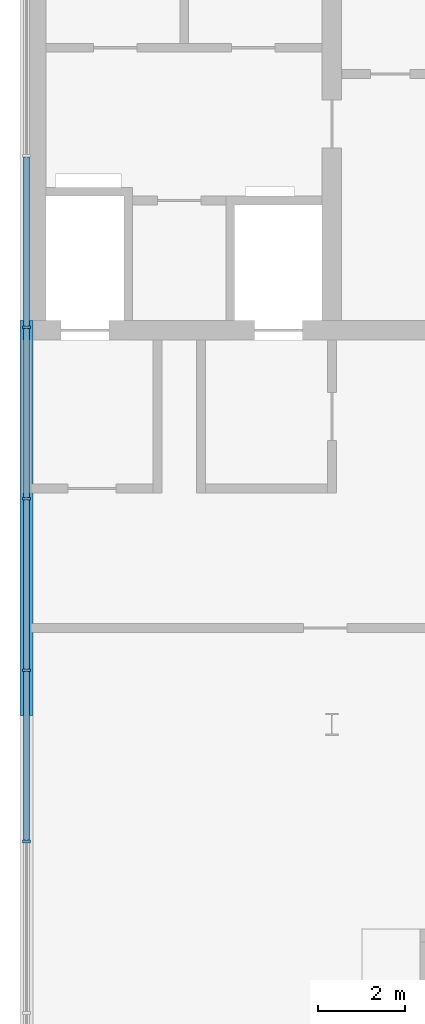
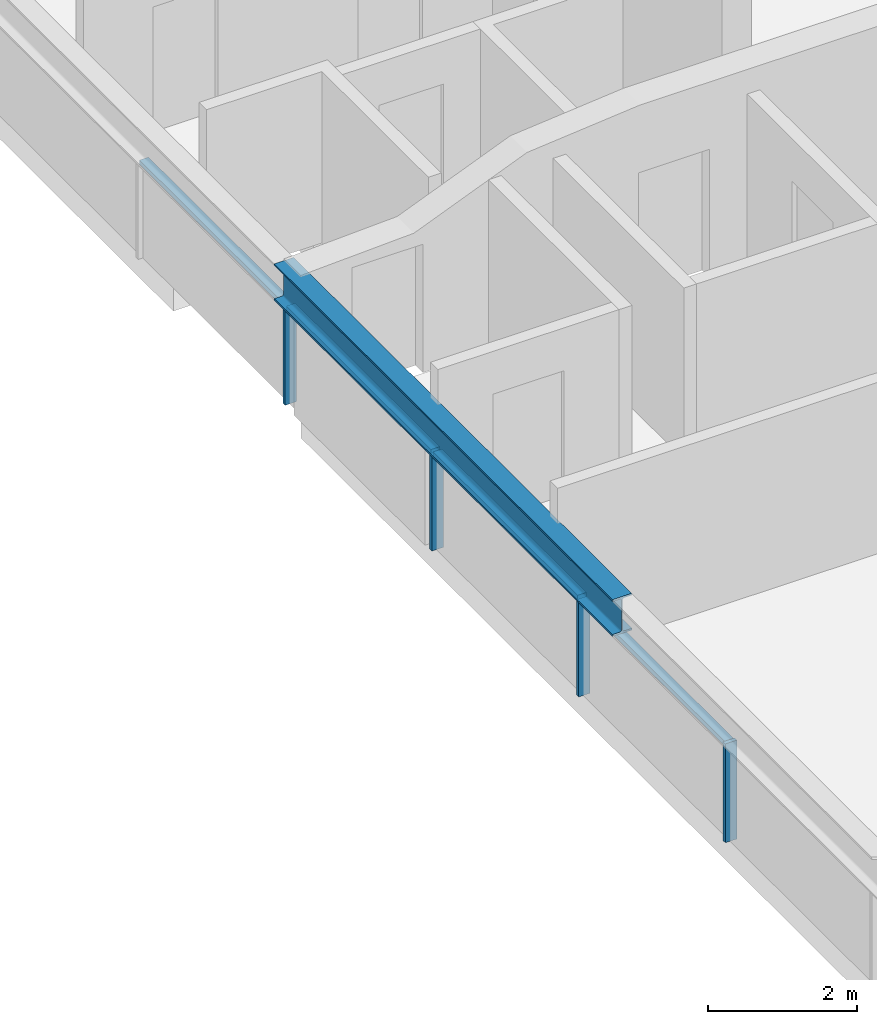
# One storey, part 4 of 10: 8 members, 1 beam, 1 element without a shape of its own.
"""IFC4 building model written with IfcOpenShell, lengths in metres."""

import ifcopenshell
import ifcopenshell.guid

model = None  # the IFC model being written
_history = None  # IfcOwnerHistory: only IFC2X3 demands one
_inside = {}  # id of a spatial element -> (the spatial element, [elements in it])
_under = {}  # id of a project, library or spatial element -> (it, [spatial elements below it])
_declared = {}  # id of a project -> (the project, [libraries it declares])
_typed = {}  # id of a type object -> (the type object, [elements of that type])
_made_of = {}  # id of a material, layer set ... -> (it, [elements and type objects made of it])


def new_model(schema):
    """Start an empty IFC model of exactly this schema.

    Asked for "IFC4X3", IfcOpenShell would pick the latest addendum, in which some entities
    have other attributes; the version numbers below select the first issue.
    IFC2X3 requires an IfcOwnerHistory on every rooted entity: one is made here for all.
    """
    global model, _history
    if schema == "IFC4X3":
        model = ifcopenshell.file(schema_version=(4, 3, 0, 0))
    else:
        model = ifcopenshell.file(schema=schema)
    _inside.clear()
    _under.clear()
    _declared.clear()
    _typed.clear()
    _made_of.clear()
    _history = None
    if model.schema == "IFC2X3":
        org = make("IfcOrganization", Name="unknown")
        user = make(
            "IfcPersonAndOrganization",
            ThePerson=make("IfcPerson", FamilyName="unknown"),
            TheOrganization=org,
        )
        app = make(
            "IfcApplication",
            ApplicationDeveloper=org,
            Version="unknown",
            ApplicationFullName="unknown",
            ApplicationIdentifier="unknown",
        )
        _history = make(
            "IfcOwnerHistory",
            OwningUser=user,
            OwningApplication=app,
            ChangeAction="ADDED",
            CreationDate=0,
        )
    return model


def make(cls, **values):
    """One entity of the class cls with the attributes given. An attribute that is None is left unset."""
    return model.create_entity(
        cls, **{name: value for name, value in values.items() if value is not None}
    )


def rooted(cls, **values):
    """An entity with a GlobalId (a new one), such as an element, a storey or a relation."""
    return make(cls, GlobalId=ifcopenshell.guid.new(), OwnerHistory=_history, **values)


def si_unit(unit_type, name, prefix=None):
    """IfcSIUnit, for example si_unit("LENGTHUNIT", "METRE", prefix="MILLI")."""
    return make("IfcSIUnit", UnitType=unit_type, Prefix=prefix, Name=name)


def assignment(units):
    """IfcUnitAssignment: the units of a project."""
    return None if units is None else make("IfcUnitAssignment", Units=units)


def point(xyz):
    """IfcCartesianPoint."""
    return None if xyz is None else make("IfcCartesianPoint", Coordinates=xyz)


def direction(xyz):
    """IfcDirection."""
    return None if xyz is None else make("IfcDirection", DirectionRatios=xyz)


def frame(location, z_axis=None, x_axis=None):
    """IfcAxis2Placement3D, a coordinate frame: its origin and axes. An axis left out is left unset."""
    return make(
        "IfcAxis2Placement3D",
        Location=point(location),
        Axis=direction(z_axis),
        RefDirection=direction(x_axis),
    )


def frame_2d(location, x_axis=None):
    """IfcAxis2Placement2D, a coordinate frame in the plane: its origin and x axis."""
    return make(
        "IfcAxis2Placement2D", Location=point(location), RefDirection=direction(x_axis)
    )


def origin():
    """The frame at (0, 0, 0) with its axes left unset."""
    return frame((0.0, 0.0, 0.0))


def origin_2d():
    """The frame at (0, 0) in the plane with its x axis left unset."""
    return frame_2d((0.0, 0.0))


def place(relative_to, where):
    """IfcLocalPlacement: puts the frame where relative to a parent placement (None: the world)."""
    return make(
        "IfcLocalPlacement", PlacementRelTo=relative_to, RelativePlacement=where
    )


def context(
    kind, dimensions, precision=None, world=None, true_north=None, identifier=None
):
    """IfcGeometricRepresentationContext, for example the 3D "Model" context."""
    return make(
        "IfcGeometricRepresentationContext",
        ContextIdentifier=identifier,
        ContextType=kind,
        CoordinateSpaceDimension=dimensions,
        Precision=precision,
        WorldCoordinateSystem=world,
        TrueNorth=true_north,
    )


def subcontext(parent, identifier, kind, view, scale=None):
    """IfcGeometricRepresentationSubContext, for example "Body" below "Model"."""
    return make(
        "IfcGeometricRepresentationSubContext",
        ContextIdentifier=identifier,
        ContextType=kind,
        ParentContext=parent,
        TargetScale=scale,
        TargetView=view,
    )


def project(units=None, contexts=None):
    """IfcProject with its units and contexts."""
    return rooted(
        "IfcProject",
        Name="project",
        RepresentationContexts=contexts,
        UnitsInContext=assignment(units),
    )


def spatial(cls, under=None, at=None, **own):
    """A site, building, storey or space (cls), placed at a placement, below another one or the project."""
    s = rooted(cls, ObjectPlacement=at, **own)
    if under is not None:
        _under.setdefault(under.id(), (under, []))[1].append(s)
    return s


def profile(cls, at=None, kind="AREA", **sizes):
    """A parametric profile (cls). Its sizes go by their IFC names, for example OverallWidth=200.0."""
    return make(cls, ProfileType=kind, Position=at, **sizes)


def rectangle(**sizes):
    """IfcRectangleProfileDef."""
    return profile("IfcRectangleProfileDef", **sizes)


def i_section(**sizes):
    """IfcIShapeProfileDef."""
    return profile("IfcIShapeProfileDef", **sizes)


def extrude(swept, where, along, depth):
    """IfcExtrudedAreaSolid: the profile swept, set in the frame where, extruded along a direction by depth."""
    return make(
        "IfcExtrudedAreaSolid",
        SweptArea=swept,
        Position=where,
        ExtrudedDirection=direction(along),
        Depth=depth,
    )


def shape(context_of_items, identifier, shape_type, items):
    """IfcShapeRepresentation: the items that make up one representation, for example the "Body"."""
    return make(
        "IfcShapeRepresentation",
        ContextOfItems=context_of_items,
        RepresentationIdentifier=identifier,
        RepresentationType=shape_type,
        Items=items,
    )


def material(Name=None, Category=None):
    """IfcMaterial."""
    return make("IfcMaterial", Name=Name, Category=Category)


def material_profile(
    of_material, cross_section, Name=None, Category=None, Priority=None
):
    """IfcMaterialProfile: a cross section and its material."""
    return make(
        "IfcMaterialProfile",
        Name=Name,
        Material=of_material,
        Profile=cross_section,
        Priority=Priority,
        Category=Category,
    )


def profile_set(profiles, Name=None, composite=None):
    """IfcMaterialProfileSet."""
    return make(
        "IfcMaterialProfileSet",
        Name=Name,
        MaterialProfiles=profiles,
        CompositeProfile=composite,
    )


def made_of(thing, what):
    """Note that an element or type object is made of a material, layer set ...; save() writes the relation."""
    if what is not None:
        _made_of.setdefault(what.id(), (what, []))[1].append(thing)
    return thing


def type_object(cls, material=None, **own):
    """A type object (cls), such as IfcWallType, which elements share."""
    return made_of(rooted(cls, **own), material)


def element(
    cls,
    number,
    at=None,
    inside=None,
    cuts=None,
    type_object=None,
    material=None,
    context=None,
    identifier="Body",
    shape_type=None,
    held_by="IfcProductDefinitionShape",
    body=None,
    shapes=None,
    **own,
):
    """One element of the class cls, such as IfcWall. Its Tag is "e" and its number.

    at: its placement. inside: the storey or other place that contains it. cuts: it is an
    opening in that element (IfcRelVoidsElement). A single representation is given by context,
    identifier, shape_type and body (its items); several are given by shapes. held_by: the class
    of the entity that holds the representations. save() writes the other relations.
    """
    e = rooted(cls, Tag="e%d" % number, ObjectPlacement=at, **own)
    if body is not None:
        shapes = [shape(context, identifier, shape_type, body)]
    if shapes is not None:
        e.Representation = make(held_by, Representations=shapes)
    if inside is not None:
        _inside.setdefault(inside.id(), (inside, []))[1].append(e)
    if cuts is not None:
        rooted(
            "IfcRelVoidsElement", RelatingBuildingElement=cuts, RelatedOpeningElement=e
        )
    if type_object is not None:
        _typed.setdefault(type_object.id(), (type_object, []))[1].append(e)
    return made_of(e, material)


def aggregate(whole, parts):
    """IfcRelAggregates: a whole, such as a stair, and the parts it consists of."""
    return rooted("IfcRelAggregates", RelatingObject=whole, RelatedObjects=parts)


def save(model, path):
    """Write the relations noted so far, then the file.

    IfcRelAggregates (storeys below a building ...), IfcRelContainedInSpatialStructure (elements
    in a storey), IfcRelDefinesByType, IfcRelAssociatesMaterial and IfcRelDeclares: one each for
    every whole, place, type object, material and project.
    """
    for whole, parts in _under.values():
        aggregate(whole, parts)
    for where, things in _inside.values():
        rooted(
            "IfcRelContainedInSpatialStructure",
            RelatedElements=things,
            RelatingStructure=where,
        )
    for kind, things in _typed.values():
        rooted("IfcRelDefinesByType", RelatedObjects=things, RelatingType=kind)
    for what, things in _made_of.values():
        rooted("IfcRelAssociatesMaterial", RelatedObjects=things, RelatingMaterial=what)
    for by, libraries in _declared.values():
        rooted("IfcRelDeclares", RelatingContext=by, RelatedDefinitions=libraries)
    model.write(path)


model = new_model("IFC4")

# Units and contexts
model_context = context("Model", 3, precision=1e-05, world=origin(), true_north=direction((0.0, 1.0)))
body_context = subcontext(model_context, "Body", "Model", "MODEL_VIEW")
ifc_project = project(units=[si_unit("LENGTHUNIT", "METRE"), si_unit("AREAUNIT", "SQUARE_METRE"), si_unit("VOLUMEUNIT", "CUBIC_METRE"), si_unit("PLANEANGLEUNIT", "RADIAN"), si_unit("MASSUNIT", "GRAM", prefix="KILO")], contexts=[model_context])

# Site, building, storey
site_placement = place(None, origin())
site = spatial("IfcSite", under=ifc_project, at=site_placement, CompositionType="ELEMENT")
building_placement = place(site_placement, origin())
building = spatial("IfcBuilding", under=site, at=building_placement, Name="Wharfspan Tower", CompositionType="ELEMENT")
storey_placement = place(building_placement, frame((0.0, 0.0, 267.5)))
storey = spatial("IfcBuildingStorey", under=building, at=storey_placement, Name="L68", CompositionType="ELEMENT", Elevation=267.5)

# Curtain wall, members
ifc_material_1 = material(Name="Aluminium 6063-T6", Category="aluminium")
curtain_wall_type = type_object("IfcCurtainWallType", Name="CURTAIN WALL CROWN GABLE", PredefinedType="NOTDEFINED", material=ifc_material_1)
curtain_wall_placement = place(storey_placement, origin())
curtain_wall = element("IfcCurtainWall", 1, at=curtain_wall_placement, inside=storey, type_object=curtain_wall_type, Name="Crown gable glazing", PredefinedType="NOTDEFINED")
ifc_material_profile_1 = material_profile(ifc_material_1, rectangle(XDim=0.179932, YDim=0.060059, at=origin_2d()))
ifc_profile_set_1 = profile_set([ifc_material_profile_1], Name="Aluminium 6063-T6")
member_type_1 = type_object("IfcMemberType", Name="MULLION CROWN GABLE 60x180", PredefinedType="MULLION", material=ifc_profile_set_1)
member_1_placement = place(storey_placement, frame((37.0, 22.505859, 0.0), z_axis=(0.0, 0.0, 1.0), x_axis=(-1.0, 0.0, 0.0)))
member_1 = element("IfcMember", 2, at=member_1_placement, type_object=member_type_1, Name="Crown gable glazing mullion 5", PredefinedType="MULLION", context=body_context, shape_type="SweptSolid", body=[
    extrude(rectangle(XDim=0.179932, YDim=0.060059, at=origin_2d()), origin(), (0.0, 0.0, 1.0), 1.616943),
])
member_2_placement = place(storey_placement, frame((37.0, 26.435303, 0.0), z_axis=(0.0, 0.0, 1.0), x_axis=(-1.0, 0.0, 0.0)))
member_2 = element("IfcMember", 3, at=member_2_placement, type_object=member_type_1, Name="Crown gable glazing mullion 6", PredefinedType="MULLION", context=body_context, shape_type="SweptSolid", body=[
    extrude(rectangle(XDim=0.179932, YDim=0.060059, at=origin_2d()), origin(), (0.0, 0.0, 1.0), 1.616943),
])
member_3_placement = place(storey_placement, frame((37.0, 30.364746, 0.0), z_axis=(0.0, 0.0, 1.0), x_axis=(-1.0, 0.0, 0.0)))
member_3 = element("IfcMember", 4, at=member_3_placement, type_object=member_type_1, Name="Crown gable glazing mullion 7", PredefinedType="MULLION", context=body_context, shape_type="SweptSolid", body=[
    extrude(rectangle(XDim=0.179932, YDim=0.060059, at=origin_2d()), origin(), (0.0, 0.0, 1.0), 1.616943),
])
member_4_placement = place(storey_placement, frame((37.0, 34.294189, 0.0), z_axis=(0.0, 0.0, 1.0), x_axis=(-1.0, 0.0, 0.0)))
member_4 = element("IfcMember", 5, at=member_4_placement, type_object=member_type_1, Name="Crown gable glazing mullion 8", PredefinedType="MULLION", context=body_context, shape_type="SweptSolid", body=[
    extrude(rectangle(XDim=0.179932, YDim=0.060059, at=origin_2d()), origin(), (0.0, 0.0, 1.0), 1.616943),
])

# Beam
ifc_material_2 = material(Name="Steel S355J2", Category="steel")
ifc_material_profile_2 = material_profile(ifc_material_2, i_section(OverallWidth=0.300049, OverallDepth=0.600098, WebThickness=0.015381, FlangeThickness=0.030029, FilletRadius=0.0271, at=origin_2d()))
ifc_profile_set_2 = profile_set([ifc_material_profile_2], Name="Steel S355J2")
beam_type = type_object("IfcBeamType", Name="Roof girder HEB 600", PredefinedType="BEAM", material=ifc_profile_set_2)
beam_placement = place(storey_placement, frame((37.0, 25.395996, 1.921875), z_axis=(0.0, 1.0, 0.0), x_axis=(-1.0, 0.0, 0.0)))
element("IfcBeam", 6, at=beam_placement, inside=storey, type_object=beam_type, Name="Roof girder G3 25 to 34", PredefinedType="BEAM", context=body_context, shape_type="SweptSolid", body=[
    extrude(i_section(OverallWidth=0.300049, OverallDepth=0.600098, WebThickness=0.015381, FlangeThickness=0.030029, FilletRadius=0.0271, at=origin_2d()), origin(), (0.0, 0.0, 1.0), 9.053955),
])

# Member
ifc_material_profile_3 = material_profile(ifc_material_1, rectangle(XDim=0.139893, YDim=0.070068, at=origin_2d()))
ifc_profile_set_3 = profile_set([ifc_material_profile_3], Name="Aluminium 6063-T6")
member_type_2 = type_object("IfcMemberType", Name="TRANSOM CROWN GABLE 70x140", PredefinedType="USERDEFINED", material=ifc_profile_set_3)
member_5_placement = place(storey_placement, frame((37.0, 22.535645, 1.582031), z_axis=(0.0, 1.0, 0.0), x_axis=(-1.0, 0.0, 0.0)))
member_5 = element("IfcMember", 7, at=member_5_placement, type_object=member_type_2, Name="Crown gable glazing transom 5", ObjectType="TRANSOM", PredefinedType="USERDEFINED", context=body_context, shape_type="SweptSolid", body=[
    extrude(rectangle(XDim=0.139893, YDim=0.070068, at=origin_2d()), origin(), (0.0, 0.0, 1.0), 3.869629),
])

member_6_placement = place(storey_placement, frame((37.0, 26.465332, 1.582031), z_axis=(0.0, 1.0, 0.0), x_axis=(-1.0, 0.0, 0.0)))
member_6 = element("IfcMember", 8, at=member_6_placement, type_object=member_type_2, Name="Crown gable glazing transom 6", ObjectType="TRANSOM", PredefinedType="USERDEFINED", context=body_context, shape_type="SweptSolid", body=[
    extrude(rectangle(XDim=0.139893, YDim=0.070068, at=origin_2d()), origin(), (0.0, 0.0, 1.0), 3.869385),
])

member_7_placement = place(storey_placement, frame((37.0, 30.394775, 1.582031), z_axis=(0.0, 1.0, 0.0), x_axis=(-1.0, 0.0, 0.0)))
member_7 = element("IfcMember", 9, at=member_7_placement, type_object=member_type_2, Name="Crown gable glazing transom 7", ObjectType="TRANSOM", PredefinedType="USERDEFINED", context=body_context, shape_type="SweptSolid", body=[
    extrude(rectangle(XDim=0.139893, YDim=0.070068, at=origin_2d()), origin(), (0.0, 0.0, 1.0), 3.869385),
])

member_8_placement = place(storey_placement, frame((37.0, 34.324219, 1.582031), z_axis=(0.0, 1.0, 0.0), x_axis=(-1.0, 0.0, 0.0)))
member_8 = element("IfcMember", 10, at=member_8_placement, type_object=member_type_2, Name="Crown gable glazing transom 8", ObjectType="TRANSOM", PredefinedType="USERDEFINED", context=body_context, shape_type="SweptSolid", body=[
    extrude(rectangle(XDim=0.139893, YDim=0.070068, at=origin_2d()), origin(), (0.0, 0.0, 1.0), 3.869629),
])

aggregate(curtain_wall, [member_1, member_2, member_3, member_4, member_5, member_6, member_7, member_8])

save(model, "model.ifc")
